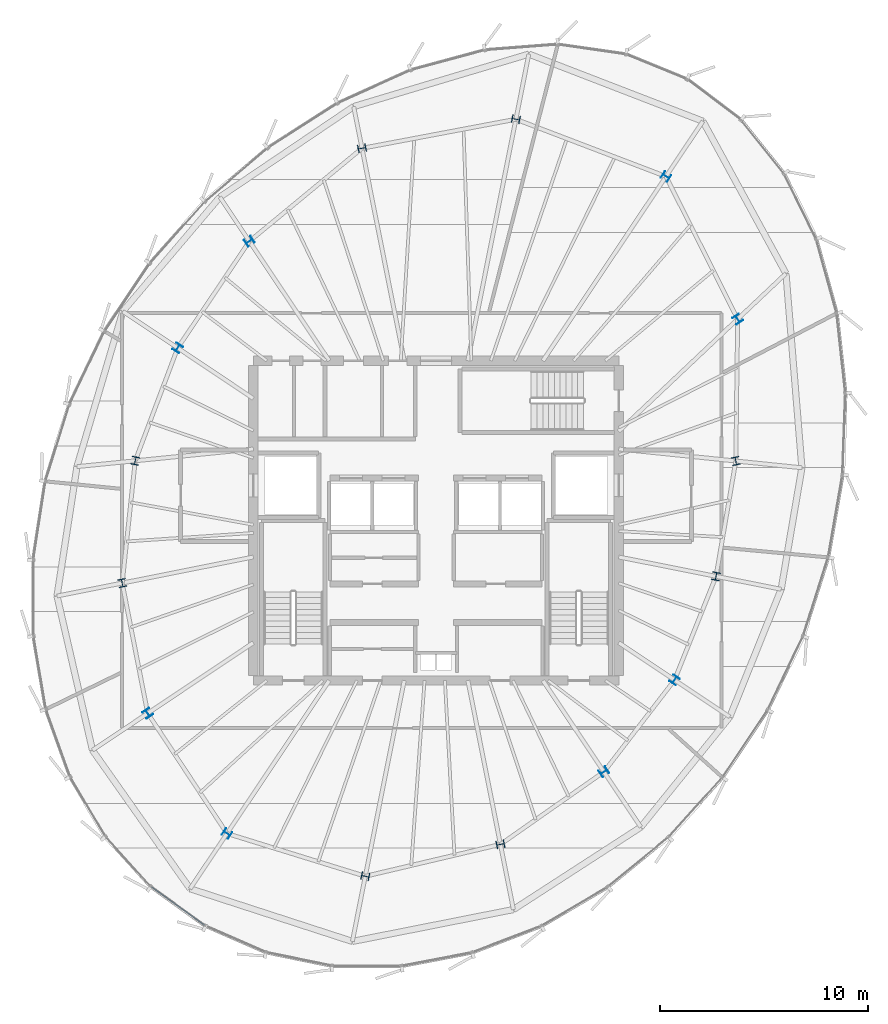
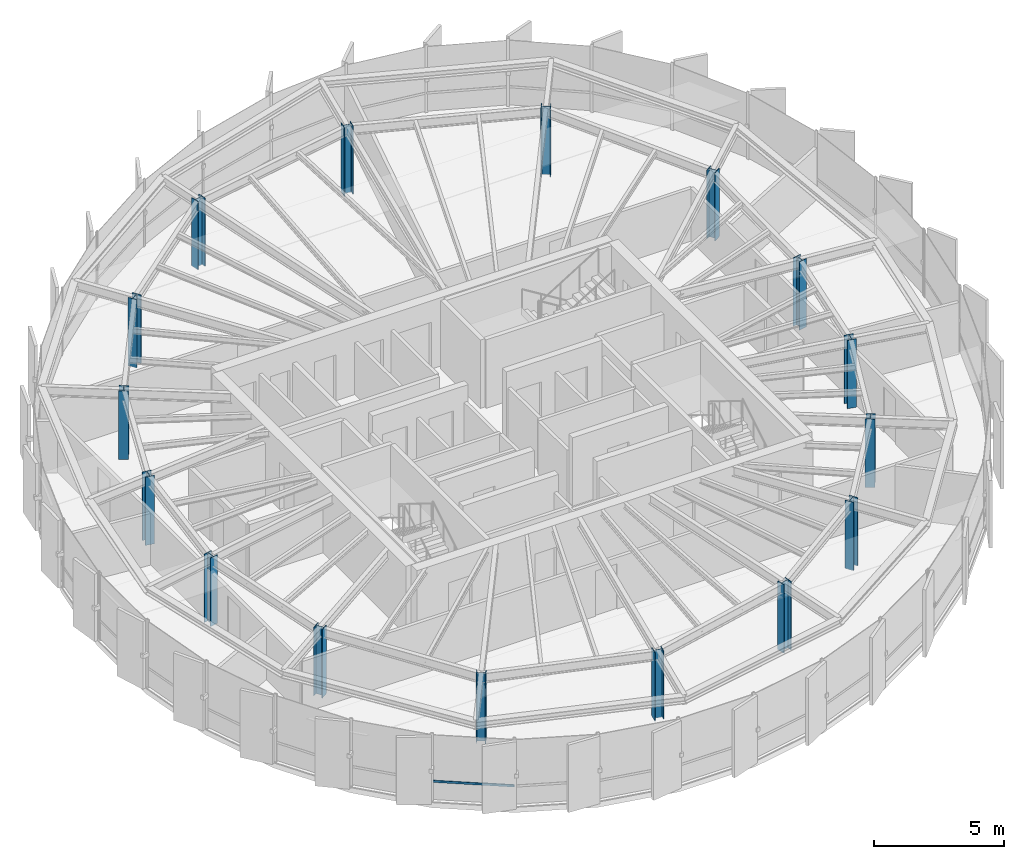
# One storey, part 1 of 31: 16 columns, 1 member, 1 element without a shape of its own.
"""IFC4 building model written with IfcOpenShell, lengths in metres."""

import ifcopenshell
import ifcopenshell.guid

model = None  # the IFC model being written
_history = None  # IfcOwnerHistory: only IFC2X3 demands one
_inside = {}  # id of a spatial element -> (the spatial element, [elements in it])
_under = {}  # id of a project, library or spatial element -> (it, [spatial elements below it])
_declared = {}  # id of a project -> (the project, [libraries it declares])
_typed = {}  # id of a type object -> (the type object, [elements of that type])
_made_of = {}  # id of a material, layer set ... -> (it, [elements and type objects made of it])


def new_model(schema):
    """Start an empty IFC model of exactly this schema.

    Asked for "IFC4X3", IfcOpenShell would pick the latest addendum, in which some entities
    have other attributes; the version numbers below select the first issue.
    IFC2X3 requires an IfcOwnerHistory on every rooted entity: one is made here for all.
    """
    global model, _history
    if schema == "IFC4X3":
        model = ifcopenshell.file(schema_version=(4, 3, 0, 0))
    else:
        model = ifcopenshell.file(schema=schema)
    _inside.clear()
    _under.clear()
    _declared.clear()
    _typed.clear()
    _made_of.clear()
    _history = None
    if model.schema == "IFC2X3":
        org = make("IfcOrganization", Name="unknown")
        user = make(
            "IfcPersonAndOrganization",
            ThePerson=make("IfcPerson", FamilyName="unknown"),
            TheOrganization=org,
        )
        app = make(
            "IfcApplication",
            ApplicationDeveloper=org,
            Version="unknown",
            ApplicationFullName="unknown",
            ApplicationIdentifier="unknown",
        )
        _history = make(
            "IfcOwnerHistory",
            OwningUser=user,
            OwningApplication=app,
            ChangeAction="ADDED",
            CreationDate=0,
        )
    return model


def make(cls, **values):
    """One entity of the class cls with the attributes given. An attribute that is None is left unset."""
    return model.create_entity(
        cls, **{name: value for name, value in values.items() if value is not None}
    )


def rooted(cls, **values):
    """An entity with a GlobalId (a new one), such as an element, a storey or a relation."""
    return make(cls, GlobalId=ifcopenshell.guid.new(), OwnerHistory=_history, **values)


def si_unit(unit_type, name, prefix=None):
    """IfcSIUnit, for example si_unit("LENGTHUNIT", "METRE", prefix="MILLI")."""
    return make("IfcSIUnit", UnitType=unit_type, Prefix=prefix, Name=name)


def assignment(units):
    """IfcUnitAssignment: the units of a project."""
    return None if units is None else make("IfcUnitAssignment", Units=units)


def point(xyz):
    """IfcCartesianPoint."""
    return None if xyz is None else make("IfcCartesianPoint", Coordinates=xyz)


def direction(xyz):
    """IfcDirection."""
    return None if xyz is None else make("IfcDirection", DirectionRatios=xyz)


def frame(location, z_axis=None, x_axis=None):
    """IfcAxis2Placement3D, a coordinate frame: its origin and axes. An axis left out is left unset."""
    return make(
        "IfcAxis2Placement3D",
        Location=point(location),
        Axis=direction(z_axis),
        RefDirection=direction(x_axis),
    )


def frame_2d(location, x_axis=None):
    """IfcAxis2Placement2D, a coordinate frame in the plane: its origin and x axis."""
    return make(
        "IfcAxis2Placement2D", Location=point(location), RefDirection=direction(x_axis)
    )


def origin():
    """The frame at (0, 0, 0) with its axes left unset."""
    return frame((0.0, 0.0, 0.0))


def origin_2d():
    """The frame at (0, 0) in the plane with its x axis left unset."""
    return frame_2d((0.0, 0.0))


def place(relative_to, where):
    """IfcLocalPlacement: puts the frame where relative to a parent placement (None: the world)."""
    return make(
        "IfcLocalPlacement", PlacementRelTo=relative_to, RelativePlacement=where
    )


def context(
    kind, dimensions, precision=None, world=None, true_north=None, identifier=None
):
    """IfcGeometricRepresentationContext, for example the 3D "Model" context."""
    return make(
        "IfcGeometricRepresentationContext",
        ContextIdentifier=identifier,
        ContextType=kind,
        CoordinateSpaceDimension=dimensions,
        Precision=precision,
        WorldCoordinateSystem=world,
        TrueNorth=true_north,
    )


def subcontext(parent, identifier, kind, view, scale=None):
    """IfcGeometricRepresentationSubContext, for example "Body" below "Model"."""
    return make(
        "IfcGeometricRepresentationSubContext",
        ContextIdentifier=identifier,
        ContextType=kind,
        ParentContext=parent,
        TargetScale=scale,
        TargetView=view,
    )


def project(units=None, contexts=None):
    """IfcProject with its units and contexts."""
    return rooted(
        "IfcProject",
        Name="project",
        RepresentationContexts=contexts,
        UnitsInContext=assignment(units),
    )


def spatial(cls, under=None, at=None, **own):
    """A site, building, storey or space (cls), placed at a placement, below another one or the project."""
    s = rooted(cls, ObjectPlacement=at, **own)
    if under is not None:
        _under.setdefault(under.id(), (under, []))[1].append(s)
    return s


def profile(cls, at=None, kind="AREA", **sizes):
    """A parametric profile (cls). Its sizes go by their IFC names, for example OverallWidth=200.0."""
    return make(cls, ProfileType=kind, Position=at, **sizes)


def hollow_rectangle(**sizes):
    """IfcRectangleHollowProfileDef."""
    return profile("IfcRectangleHollowProfileDef", **sizes)


def i_section(**sizes):
    """IfcIShapeProfileDef."""
    return profile("IfcIShapeProfileDef", **sizes)


def extrude(swept, where, along, depth):
    """IfcExtrudedAreaSolid: the profile swept, set in the frame where, extruded along a direction by depth."""
    return make(
        "IfcExtrudedAreaSolid",
        SweptArea=swept,
        Position=where,
        ExtrudedDirection=direction(along),
        Depth=depth,
    )


def shape(context_of_items, identifier, shape_type, items):
    """IfcShapeRepresentation: the items that make up one representation, for example the "Body"."""
    return make(
        "IfcShapeRepresentation",
        ContextOfItems=context_of_items,
        RepresentationIdentifier=identifier,
        RepresentationType=shape_type,
        Items=items,
    )


def source(mapping_origin, context_of_items, identifier, shape_type, items):
    """IfcRepresentationMap: a shape defined once, which mapped items show again and again."""
    return make(
        "IfcRepresentationMap",
        MappingOrigin=mapping_origin,
        MappedRepresentation=shape(context_of_items, identifier, shape_type, items),
    )


def transform(
    local_origin,
    x_axis=None,
    y_axis=None,
    z_axis=None,
    scale=None,
    scale2=None,
    scale3=None,
    uniform=True,
):
    """IfcCartesianTransformationOperator3D, or its non-uniform kind. x_axis, y_axis, z_axis: its Axis1, 2, 3."""
    if uniform:
        return make(
            "IfcCartesianTransformationOperator3D",
            Axis1=direction(x_axis),
            Axis2=direction(y_axis),
            LocalOrigin=point(local_origin),
            Scale=scale,
            Axis3=direction(z_axis),
        )
    return make(
        "IfcCartesianTransformationOperator3DnonUniform",
        Axis1=direction(x_axis),
        Axis2=direction(y_axis),
        LocalOrigin=point(local_origin),
        Scale=scale,
        Axis3=direction(z_axis),
        Scale2=scale2,
        Scale3=scale3,
    )


def mapped(mapping_source, mapping_target):
    """IfcMappedItem: shows the shape of a source again, moved by a transform."""
    return make(
        "IfcMappedItem", MappingSource=mapping_source, MappingTarget=mapping_target
    )


def material(Name=None, Category=None):
    """IfcMaterial."""
    return make("IfcMaterial", Name=Name, Category=Category)


def layer(
    of_material, thickness, ventilated=None, Name=None, Category=None, Priority=None
):
    """IfcMaterialLayer: one layer of a wall or slab, of a material (None: an air gap)."""
    return make(
        "IfcMaterialLayer",
        Material=of_material,
        LayerThickness=thickness,
        IsVentilated=ventilated,
        Name=Name,
        Category=Category,
        Priority=Priority,
    )


def layer_set(layers, Name=None):
    """IfcMaterialLayerSet."""
    return make("IfcMaterialLayerSet", MaterialLayers=layers, LayerSetName=Name)


def material_profile(
    of_material, cross_section, Name=None, Category=None, Priority=None
):
    """IfcMaterialProfile: a cross section and its material."""
    return make(
        "IfcMaterialProfile",
        Name=Name,
        Material=of_material,
        Profile=cross_section,
        Priority=Priority,
        Category=Category,
    )


def profile_set(profiles, Name=None, composite=None):
    """IfcMaterialProfileSet."""
    return make(
        "IfcMaterialProfileSet",
        Name=Name,
        MaterialProfiles=profiles,
        CompositeProfile=composite,
    )


def made_of(thing, what):
    """Note that an element or type object is made of a material, layer set ...; save() writes the relation."""
    if what is not None:
        _made_of.setdefault(what.id(), (what, []))[1].append(thing)
    return thing


def type_object(cls, material=None, **own):
    """A type object (cls), such as IfcWallType, which elements share."""
    return made_of(rooted(cls, **own), material)


def element(
    cls,
    number,
    at=None,
    inside=None,
    cuts=None,
    type_object=None,
    material=None,
    context=None,
    identifier="Body",
    shape_type=None,
    held_by="IfcProductDefinitionShape",
    body=None,
    shapes=None,
    **own,
):
    """One element of the class cls, such as IfcWall. Its Tag is "e" and its number.

    at: its placement. inside: the storey or other place that contains it. cuts: it is an
    opening in that element (IfcRelVoidsElement). A single representation is given by context,
    identifier, shape_type and body (its items); several are given by shapes. held_by: the class
    of the entity that holds the representations. save() writes the other relations.
    """
    e = rooted(cls, Tag="e%d" % number, ObjectPlacement=at, **own)
    if body is not None:
        shapes = [shape(context, identifier, shape_type, body)]
    if shapes is not None:
        e.Representation = make(held_by, Representations=shapes)
    if inside is not None:
        _inside.setdefault(inside.id(), (inside, []))[1].append(e)
    if cuts is not None:
        rooted(
            "IfcRelVoidsElement", RelatingBuildingElement=cuts, RelatedOpeningElement=e
        )
    if type_object is not None:
        _typed.setdefault(type_object.id(), (type_object, []))[1].append(e)
    return made_of(e, material)


def aggregate(whole, parts):
    """IfcRelAggregates: a whole, such as a stair, and the parts it consists of."""
    return rooted("IfcRelAggregates", RelatingObject=whole, RelatedObjects=parts)


def save(model, path):
    """Write the relations noted so far, then the file.

    IfcRelAggregates (storeys below a building ...), IfcRelContainedInSpatialStructure (elements
    in a storey), IfcRelDefinesByType, IfcRelAssociatesMaterial and IfcRelDeclares: one each for
    every whole, place, type object, material and project.
    """
    for whole, parts in _under.values():
        aggregate(whole, parts)
    for where, things in _inside.values():
        rooted(
            "IfcRelContainedInSpatialStructure",
            RelatedElements=things,
            RelatingStructure=where,
        )
    for kind, things in _typed.values():
        rooted("IfcRelDefinesByType", RelatedObjects=things, RelatingType=kind)
    for what, things in _made_of.values():
        rooted("IfcRelAssociatesMaterial", RelatedObjects=things, RelatingMaterial=what)
    for by, libraries in _declared.values():
        rooted("IfcRelDeclares", RelatingContext=by, RelatedDefinitions=libraries)
    model.write(path)


model = new_model("IFC4")

# Units and contexts
model_context = context("Model", 3, precision=1e-05, world=origin(), true_north=direction((0.0, 1.0)))
body_context = subcontext(model_context, "Body", "Model", "MODEL_VIEW")
ifc_project = project(units=[si_unit("LENGTHUNIT", "METRE"), si_unit("AREAUNIT", "SQUARE_METRE"), si_unit("VOLUMEUNIT", "CUBIC_METRE"), si_unit("PLANEANGLEUNIT", "RADIAN"), si_unit("MASSUNIT", "GRAM", prefix="KILO"), si_unit("THERMODYNAMICTEMPERATUREUNIT", "KELVIN")], contexts=[model_context])

# Site, building, storey
site_placement = place(None, origin())
site = spatial("IfcSite", under=ifc_project, at=site_placement, CompositionType="ELEMENT")
building_placement = place(site_placement, origin())
building = spatial("IfcBuilding", under=site, at=building_placement, Name="Kethvar Cultural Tower", CompositionType="ELEMENT")
storey_placement = place(building_placement, frame((0.0, 0.0, 276.699951171875)))
storey = spatial("IfcBuildingStorey", under=building, at=storey_placement, Name="L73", CompositionType="ELEMENT", Elevation=276.699951171875)

# Columns
ifc_material_1 = material(Name="Steel S355J2", Category="steel")
ifc_material_profile_1 = material_profile(ifc_material_1, i_section(OverallWidth=0.3740234375, OverallDepth=0.383056640625, WebThickness=0.0166015625, FlangeThickness=0.026123046875, FilletRadius=0.014892578125, at=origin_2d()), Name="Steel S355J2 — HD360x300")
ifc_profile_set_1 = profile_set([ifc_material_profile_1], Name="Steel S355J2 — HD360x300")
column_type = type_object("IfcColumnType", Name="COL-HD300", PredefinedType="COLUMN", material=ifc_profile_set_1)
shared_shape_1 = source(origin(), body_context, "Body", "SweptSolid", [
    extrude(i_section(OverallWidth=0.3740234375, OverallDepth=0.383056640625, WebThickness=0.0166015625, FlangeThickness=0.026123046875, FilletRadius=0.014892578125, at=origin_2d()), origin(), (0.0, 0.0, 1.0), 3.2099609375),
])
for number, where, z_axis, x_axis, name in (
    (1, (61.237060546875, 30.671630859375, 0.0), (0.0, 0.0, 1.0), (0.980785280403, 0.195090322016, 0.0), "L73 Mega-Column MC-01"),
    (2, (61.32568359375, 37.505859375, 0.0), (0.0, 0.0, 1.0), (0.831469612303, 0.55557023302, 0.0), "L73 Mega-Column MC-02"),
    (3, (57.875244140625, 44.375, 0.0), (0.0, 0.0, 1.0), (0.55557023302, 0.831469612303, 0.0), "L73 Mega-Column MC-03"),
    (4, (50.645263671875, 47.131591796875, 0.0), (0.0, 0.0, 1.0), (0.195090322016, 0.980785280403, 0.0), "L73 Mega-Column MC-04"),
    (5, (43.23291015625, 45.732421875, 0.0), (0.0, 0.0, 1.0), (-0.195090322016, 0.980785280403, 0.0), "L73 Mega-Column MC-05"),
    (6, (37.8095703125, 41.255126953125, 0.0), (0.0, 0.0, 1.0), (-0.55557023302, 0.831469612303, 0.0), "L73 Mega-Column MC-06"),
    (7, (34.35595703125, 36.114990234375, 0.0), (0.0, 0.0, 1.0), (-0.831469612303, 0.55557023302, 0.0), "L73 Mega-Column MC-07"),
    (8, (32.3125, 30.681884765625, 0.0), (0.0, 0.0, 1.0), (-0.980785280403, 0.195090322016, 0.0), "L73 Mega-Column MC-08"),
    (9, (31.68310546875, 24.79296875, 0.0), (0.0, 0.0, 1.0), (-0.980785280403, -0.195090322016, 0.0), "L73 Mega-Column MC-09"),
    (10, (32.912841796875, 18.52099609375, 0.0), (0.0, 0.0, 1.0), (-0.831469612303, -0.55557023302, 0.0), "L73 Mega-Column MC-10"),
    (11, (36.731201171875, 12.73095703125, 0.0), (0.0, 0.0, 1.0), (-0.55557023302, -0.831469612303, 0.0), "L73 Mega-Column MC-11"),
    (12, (43.392822265625, 10.67138671875, 0.0), (0.0, 0.0, 1.0), (-0.195090322016, -0.980785280403, 0.0), "L73 Mega-Column MC-12"),
    (13, (49.901611328125, 12.206787109375, 0.0), (0.0, 0.0, 1.0), (0.195090322016, -0.980785280403, 0.0), "L73 Mega-Column MC-13"),
    (14, (54.885009765625, 15.7001953125, 0.0), (0.0, 0.0, 1.0), (0.55557023302, -0.831469612303, 0.0), "L73 Mega-Column MC-14"),
    (15, (58.287109375, 20.12451171875, 0.0), (0.0, 0.0, 1.0), (0.831469612303, -0.55557023302, 0.0), "L73 Mega-Column MC-15"),
    (16, (60.28369140625, 25.117919921875, 0.0), (0.0, 0.0, 1.0), (0.980785280403, -0.195090322016, 0.0), "L73 Mega-Column MC-16"),
):
    element("IfcColumn", number, at=place(storey_placement, frame(where, z_axis=z_axis, x_axis=x_axis)), inside=storey, type_object=column_type, Name=name, PredefinedType="COLUMN", context=body_context, shape_type="MappedRepresentation", body=[
        mapped(shared_shape_1, transform((0.0, 0.0, 0.0), scale=1.0)),
    ])

# Curtain wall, member
ifc_material_2 = material(Name="Aluminium 6063-T6", Category="aluminium")
ifc_layer = layer(ifc_material_2, 0.179931640625, Name="Aluminium 6063-T6", Category="aluminium")
ifc_layer_set = layer_set([ifc_layer], Name="Aluminium 6063-T6 (180 mm)")
curtain_wall_type = type_object("IfcCurtainWallType", Name="CW-SYS-05-Z56", PredefinedType="NOTDEFINED", material=ifc_layer_set)
curtain_wall_placement = place(storey_placement, origin())
curtain_wall = element("IfcCurtainWall", 17, at=curtain_wall_placement, inside=storey, type_object=curtain_wall_type, Name="L73 Curtain Wall Run 03", PredefinedType="NOTDEFINED")
ifc_material_profile_2 = material_profile(ifc_material_2, hollow_rectangle(XDim=0.050048828125, YDim=0.10009765625, WallThickness=0.00390625, at=origin_2d()), Name="Aluminium 6063-T6 — RHS100x50x4")
ifc_profile_set_2 = profile_set([ifc_material_profile_2], Name="Aluminium 6063-T6 — RHS100x50x4")
member_type = type_object("IfcMemberType", Name="CW-SYS-05-Z56-TRN", PredefinedType="USERDEFINED", material=ifc_profile_set_2)
shared_shape_2 = source(origin(), body_context, "Body", "SweptSolid", [
    extrude(hollow_rectangle(XDim=0.050048828125, YDim=0.10009765625, WallThickness=0.00390625, at=origin_2d()), origin(), (0.0, 0.0, 1.0), 3.149658203125),
])
member_placement = place(storey_placement, frame((33.0966796875, 10.155029296875, 0.949951171875), z_axis=(0.811159276189, -0.584825297549, 0.0), x_axis=(0.584825297549, 0.811159276189, 0.0)))
member = element("IfcMember", 18, at=member_placement, type_object=member_type, Name="CW-L73-R03 Transom 6", ObjectType="TRANSOM", PredefinedType="USERDEFINED", context=body_context, shape_type="MappedRepresentation", body=[
    mapped(shared_shape_2, transform((0.0, 0.0, 0.0), scale=1.0)),
])
aggregate(curtain_wall, [member])

save(model, "model.ifc")
